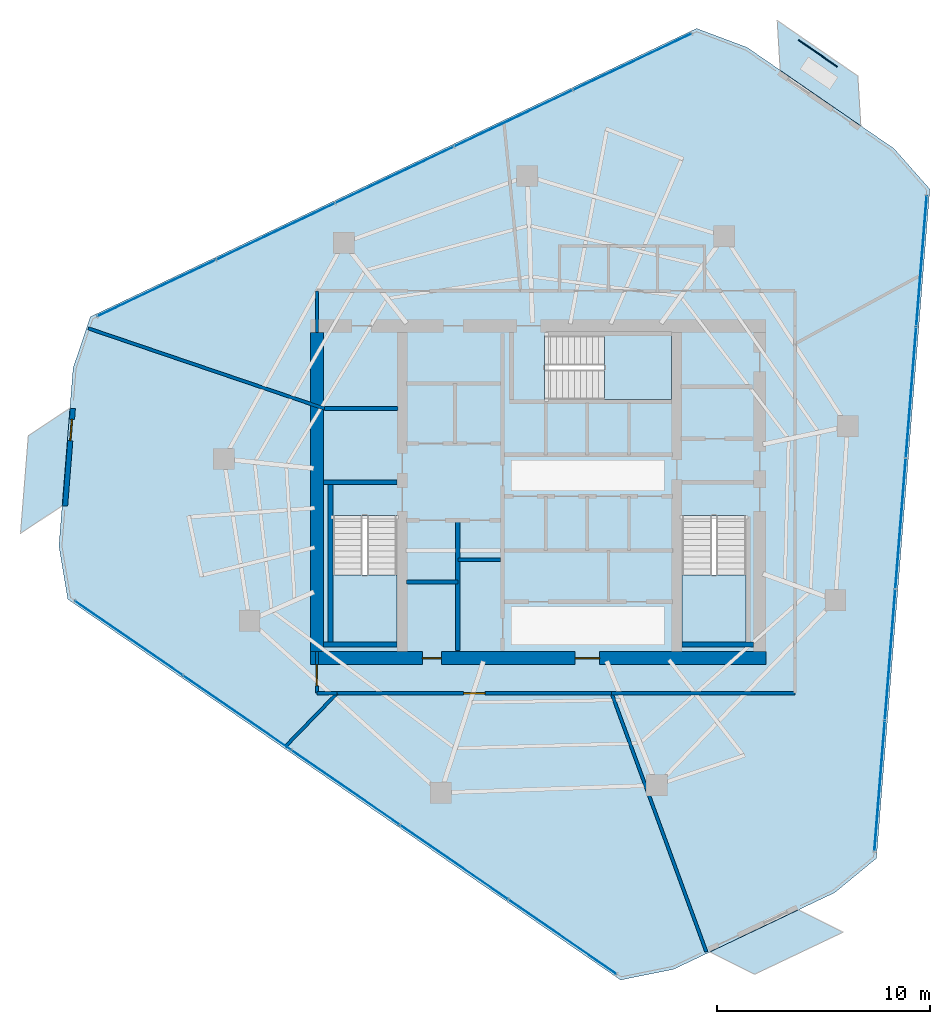
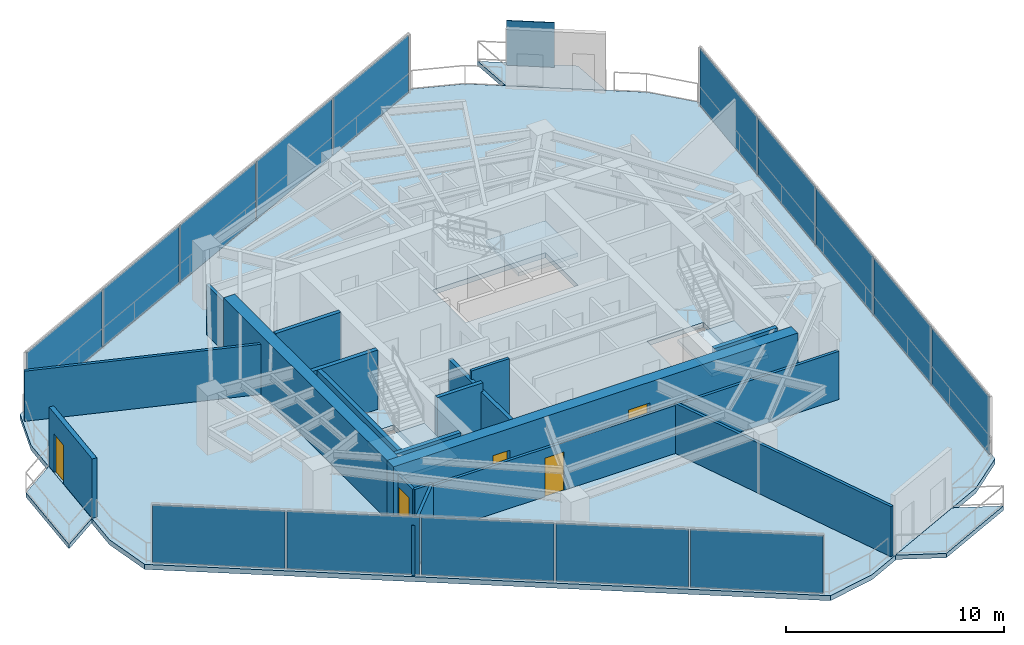
# One storey, part 16 of 21: 19 walls, 16 plates, 7 slabs, 5 doors, 5 openings, 6 elements without a shape of their own.
"""IFC4 building model written with IfcOpenShell, lengths in metres."""

from ifc_helpers import new_model, si_unit, direction, frame, frame_2d, origin, origin_2d, place, context, subcontext, project, spatial, polyline, rectangle, outline, extrude, material, layer, layer_set, type_object, element, fill, aggregate, save


model = new_model("IFC4")

# Units and contexts
model_context = context("Model", 3, precision=1e-05, world=origin(), true_north=direction((0.0, 1.0)))
body_context = subcontext(model_context, "Body", "Model", "MODEL_VIEW")
ifc_project = project(units=[si_unit("LENGTHUNIT", "METRE"), si_unit("AREAUNIT", "SQUARE_METRE"), si_unit("VOLUMEUNIT", "CUBIC_METRE"), si_unit("PLANEANGLEUNIT", "RADIAN"), si_unit("MASSUNIT", "GRAM", prefix="KILO")], contexts=[model_context])

# Site, building, storey
site_placement = place(None, origin())
site = spatial("IfcSite", under=ifc_project, at=site_placement, CompositionType="ELEMENT")
building_placement = place(site_placement, origin())
building = spatial("IfcBuilding", under=site, at=building_placement, Name="Qarnah Convention Tower", CompositionType="ELEMENT")
storey_placement = place(building_placement, frame((0.0, 0.0, 161.699951171875)))
storey = spatial("IfcBuildingStorey", under=building, at=storey_placement, Name="L43", CompositionType="ELEMENT", Elevation=161.699951171875)

# Curtain wall, plates
ifc_material_1 = material(Name="Tempered Low-E dark glass", Category="glass")
ifc_layer_1 = layer(ifc_material_1, 0.172119140625)
ifc_layer_set_1 = layer_set([ifc_layer_1], Name="Tempered Low-E dark glass")
curtain_wall_type = type_object("IfcCurtainWallType", Name="CWS-03", PredefinedType="NOTDEFINED", material=ifc_layer_set_1)
curtain_wall_1_placement = place(storey_placement, origin())
curtain_wall_1 = element("IfcCurtainWall", 1, at=curtain_wall_1_placement, inside=storey, type_object=curtain_wall_type, Name="L43 unitised curtain wall CW-L43-F1", PredefinedType="NOTDEFINED")
ifc_layer_2 = layer(ifc_material_1, 0.031982421875)
ifc_layer_set_2 = layer_set([ifc_layer_2], Name="Tempered Low-E dark glass")
plate_type_1 = type_object("IfcPlateType", Name="PNL-T3", PredefinedType="CURTAIN_PANEL", material=ifc_layer_set_2)
plate_1_placement = place(storey_placement, frame((55.197021484375, 37.251220703125, 0.0400390625), z_axis=(0.0, 0.0, 1.0), x_axis=(-0.079547299857, -0.996831092556, 0.0)))
plate_1 = element("IfcPlate", 2, at=plate_1_placement, type_object=plate_type_1, Name="CW-L43-F1 curtain panel 1.1", PredefinedType="CURTAIN_PANEL", context=body_context, shape_type="SweptSolid", body=[
    extrude(rectangle(XDim=6.10498046875, YDim=0.031982421875, at=origin_2d()), origin(), (0.0, 0.0, 1.0), 3.239990234375),
])
plate_2_placement = place(storey_placement, frame((54.705078125, 31.0859375, 0.0400390625), z_axis=(0.0, 0.0, 1.0), x_axis=(-0.079547299857, -0.996831092556, 0.0)))
plate_2 = element("IfcPlate", 3, at=plate_2_placement, type_object=plate_type_1, Name="CW-L43-F1 curtain panel 2.1", PredefinedType="CURTAIN_PANEL", context=body_context, shape_type="SweptSolid", body=[
    extrude(rectangle(XDim=6.10498046875, YDim=0.031982421875, at=origin_2d()), origin(), (0.0, 0.0, 1.0), 3.239990234375),
])
plate_3_placement = place(storey_placement, frame((54.212890625, 24.92041015625, 0.0400390625), z_axis=(0.0, 0.0, 1.0), x_axis=(-0.079547299857, -0.996831092556, 0.0)))
plate_3 = element("IfcPlate", 4, at=plate_3_placement, type_object=plate_type_1, Name="CW-L43-F1 curtain panel 3.1", PredefinedType="CURTAIN_PANEL", context=body_context, shape_type="SweptSolid", body=[
    extrude(rectangle(XDim=6.10498046875, YDim=0.031982421875, at=origin_2d()), origin(), (0.0, 0.0, 1.0), 3.239990234375),
])
plate_4_placement = place(storey_placement, frame((53.720947265625, 18.755126953125, 0.0400390625), z_axis=(0.0, 0.0, 1.0), x_axis=(-0.079547299857, -0.996831092556, 0.0)))
plate_4 = element("IfcPlate", 5, at=plate_4_placement, type_object=plate_type_1, Name="CW-L43-F1 curtain panel 4.1", PredefinedType="CURTAIN_PANEL", context=body_context, shape_type="SweptSolid", body=[
    extrude(rectangle(XDim=6.10498046875, YDim=0.031982421875, at=origin_2d()), origin(), (0.0, 0.0, 1.0), 3.239990234375),
])
plate_5_placement = place(storey_placement, frame((53.22900390625, 12.589599609375, 0.0400390625), z_axis=(0.0, 0.0, 1.0), x_axis=(-0.079547299857, -0.996831092556, 0.0)))
plate_5 = element("IfcPlate", 6, at=plate_5_placement, type_object=plate_type_1, Name="CW-L43-F1 curtain panel 5.1", PredefinedType="CURTAIN_PANEL", context=body_context, shape_type="SweptSolid", body=[
    extrude(rectangle(XDim=6.10498046875, YDim=0.031982421875, at=origin_2d()), origin(), (0.0, 0.0, 1.0), 3.239990234375),
])
aggregate(curtain_wall_1, [plate_1, plate_2, plate_3, plate_4, plate_5])

curtain_wall_2_placement = place(storey_placement, origin())
curtain_wall_2 = element("IfcCurtainWall", 7, at=curtain_wall_2_placement, inside=storey, type_object=curtain_wall_type, Name="L43 unitised curtain wall CW-L43-F2", PredefinedType="NOTDEFINED")
plate_6_placement = place(storey_placement, frame((19.272705078125, 35.9794921875, 0.0400390625), z_axis=(0.0, 0.0, 1.0), x_axis=(0.903049301715, 0.429536911885, 0.0)))
plate_6 = element("IfcPlate", 8, at=plate_6_placement, type_object=plate_type_1, Name="CW-L43-F2 curtain panel 1.1", PredefinedType="CURTAIN_PANEL", context=body_context, shape_type="SweptSolid", body=[
    extrude(rectangle(XDim=6.105224609375, YDim=0.031982421875, at=origin_2d()), origin(), (0.0, 0.0, 1.0), 3.239990234375),
])
plate_7_placement = place(storey_placement, frame((24.8583984375, 38.63623046875, 0.0400390625), z_axis=(0.0, 0.0, 1.0), x_axis=(0.903049301715, 0.429536911885, 0.0)))
plate_7 = element("IfcPlate", 9, at=plate_7_placement, type_object=plate_type_1, Name="CW-L43-F2 curtain panel 2.1", PredefinedType="CURTAIN_PANEL", context=body_context, shape_type="SweptSolid", body=[
    extrude(rectangle(XDim=6.105224609375, YDim=0.031982421875, at=origin_2d()), origin(), (0.0, 0.0, 1.0), 3.239990234375),
])
plate_8_placement = place(storey_placement, frame((30.444091796875, 41.29296875, 0.0400390625), z_axis=(0.0, 0.0, 1.0), x_axis=(0.903049301715, 0.429536911885, 0.0)))
plate_8 = element("IfcPlate", 10, at=plate_8_placement, type_object=plate_type_1, Name="CW-L43-F2 curtain panel 3.1", PredefinedType="CURTAIN_PANEL", context=body_context, shape_type="SweptSolid", body=[
    extrude(rectangle(XDim=6.105224609375, YDim=0.031982421875, at=origin_2d()), origin(), (0.0, 0.0, 1.0), 3.239990234375),
])
plate_9_placement = place(storey_placement, frame((36.029541015625, 43.94970703125, 0.0400390625), z_axis=(0.0, 0.0, 1.0), x_axis=(0.903049301715, 0.429536911885, 0.0)))
plate_9 = element("IfcPlate", 11, at=plate_9_placement, type_object=plate_type_1, Name="CW-L43-F2 curtain panel 4.1", PredefinedType="CURTAIN_PANEL", context=body_context, shape_type="SweptSolid", body=[
    extrude(rectangle(XDim=6.105224609375, YDim=0.031982421875, at=origin_2d()), origin(), (0.0, 0.0, 1.0), 3.239990234375),
])
plate_10_placement = place(storey_placement, frame((41.615234375, 46.606689453125, 0.0400390625), z_axis=(0.0, 0.0, 1.0), x_axis=(0.903049301715, 0.429536911885, 0.0)))
plate_10 = element("IfcPlate", 12, at=plate_10_placement, type_object=plate_type_1, Name="CW-L43-F2 curtain panel 5.1", PredefinedType="CURTAIN_PANEL", context=body_context, shape_type="SweptSolid", body=[
    extrude(rectangle(XDim=6.105224609375, YDim=0.031982421875, at=origin_2d()), origin(), (0.0, 0.0, 1.0), 3.239990234375),
])
aggregate(curtain_wall_2, [plate_6, plate_7, plate_8, plate_9, plate_10])

curtain_wall_3_placement = place(storey_placement, origin())
curtain_wall_3 = element("IfcCurtainWall", 13, at=curtain_wall_3_placement, inside=storey, type_object=curtain_wall_type, Name="L43 unitised curtain wall CW-L43-F3", PredefinedType="NOTDEFINED")
plate_11_placement = place(storey_placement, frame((38.336181640625, 5.50537109375, 0.0400390625), z_axis=(0.0, 0.0, 1.0), x_axis=(-0.823532102593, 0.567269667794, 0.0)))
plate_11 = element("IfcPlate", 14, at=plate_11_placement, type_object=plate_type_1, Name="CW-L43-F3 curtain panel 1.1", PredefinedType="CURTAIN_PANEL", context=body_context, shape_type="SweptSolid", body=[
    extrude(rectangle(XDim=6.10498046875, YDim=0.031982421875, at=origin_2d()), origin(), (0.0, 0.0, 1.0), 3.239990234375),
])
plate_12_placement = place(storey_placement, frame((33.24267578125, 9.013916015625, 0.0400390625), z_axis=(0.0, 0.0, 1.0), x_axis=(-0.823532102593, 0.567269667794, 0.0)))
plate_12 = element("IfcPlate", 15, at=plate_12_placement, type_object=plate_type_1, Name="CW-L43-F3 curtain panel 2.1", PredefinedType="CURTAIN_PANEL", context=body_context, shape_type="SweptSolid", body=[
    extrude(rectangle(XDim=6.10498046875, YDim=0.031982421875, at=origin_2d()), origin(), (0.0, 0.0, 1.0), 3.239990234375),
])
plate_13_placement = place(storey_placement, frame((28.14892578125, 12.5224609375, 0.0400390625), z_axis=(0.0, 0.0, 1.0), x_axis=(-0.823532102593, 0.567269667794, 0.0)))
plate_13 = element("IfcPlate", 16, at=plate_13_placement, type_object=plate_type_1, Name="CW-L43-F3 curtain panel 3.1", PredefinedType="CURTAIN_PANEL", context=body_context, shape_type="SweptSolid", body=[
    extrude(rectangle(XDim=6.10498046875, YDim=0.031982421875, at=origin_2d()), origin(), (0.0, 0.0, 1.0), 3.239990234375),
])
plate_14_placement = place(storey_placement, frame((23.055419921875, 16.031005859375, 0.0400390625), z_axis=(0.0, 0.0, 1.0), x_axis=(-0.823532102593, 0.567269667794, 0.0)))
plate_14 = element("IfcPlate", 17, at=plate_14_placement, type_object=plate_type_1, Name="CW-L43-F3 curtain panel 4.1", PredefinedType="CURTAIN_PANEL", context=body_context, shape_type="SweptSolid", body=[
    extrude(rectangle(XDim=6.10498046875, YDim=0.031982421875, at=origin_2d()), origin(), (0.0, 0.0, 1.0), 3.239990234375),
])
plate_15_placement = place(storey_placement, frame((17.9619140625, 19.539794921875, 0.0400390625), z_axis=(0.0, 0.0, 1.0), x_axis=(-0.823532102593, 0.567269667794, 0.0)))
plate_15 = element("IfcPlate", 18, at=plate_15_placement, type_object=plate_type_1, Name="CW-L43-F3 curtain panel 5.1", PredefinedType="CURTAIN_PANEL", context=body_context, shape_type="SweptSolid", body=[
    extrude(rectangle(XDim=6.10498046875, YDim=0.031982421875, at=origin_2d()), origin(), (0.0, 0.0, 1.0), 3.239990234375),
])
aggregate(curtain_wall_3, [plate_11, plate_12, plate_13, plate_14, plate_15])

# Plate
ifc_material_2 = material(Name="Black anodised aluminium", Category="aluminium")
ifc_layer_3 = layer(ifc_material_2, 0.044921875)
ifc_layer_set_3 = layer_set([ifc_layer_3], Name="Black anodised aluminium")
plate_type_2 = type_object("IfcPlateType", Name="SCR-BAL-18", PredefinedType="USERDEFINED", material=ifc_layer_set_3)
plate_16_placement = place(storey_placement, frame((50.324951171875, 47.00390625, 0.0), z_axis=(0.0, 0.0, 1.0), x_axis=(0.823559328633, -0.567230140438, 0.0)))
element("IfcPlate", 19, at=plate_16_placement, inside=storey, type_object=plate_type_2, Name="L43 perforated desert solar screen BAL-L43-C1", ObjectType="SCREEN", PredefinedType="USERDEFINED", context=body_context, shape_type="SweptSolid", body=[
    extrude(rectangle(XDim=2.199951171875, YDim=0.044921875, at=origin_2d()), origin(), (0.0, 0.0, 1.0), 2.5),
])

# Slabs
ifc_material_3 = material(Name="Concrete C45/55", Category="concrete")
ifc_layer_4 = layer(ifc_material_3, 0.239990234375)
ifc_layer_set_4 = layer_set([ifc_layer_4], Name="Concrete C45/55")
slab_type_1 = type_object("IfcSlabType", Name="SLB-BAL-240", PredefinedType="USERDEFINED", material=ifc_layer_set_4)
slab_1_placement = place(storey_placement, frame((0.0, 0.0, -0.239990234375)))
element("IfcSlab", 20, at=slab_1_placement, inside=storey, type_object=slab_type_1, Name="L43 cantilevered balcony slab BAL-L43-C1", ObjectType="BALCONY", PredefinedType="USERDEFINED", context=body_context, shape_type="SweptSolid", body=[
    extrude(outline(polyline([(48.4169921875, 48.548095703125), (52.205078125, 45.93896484375), (52.345947265625, 43.596923828125), (48.55810546875, 46.2060546875), (48.4169921875, 48.548095703125)])), origin(), (0.0, 0.0, 1.0), 0.239990234375),
])
slab_2_placement = place(storey_placement, frame((0.0, 0.0, -0.239990234375)))
element("IfcSlab", 21, at=slab_2_placement, inside=storey, type_object=slab_type_1, Name="L43 cantilevered balcony slab BAL-L43-C2", ObjectType="BALCONY", PredefinedType="USERDEFINED", context=body_context, shape_type="SweptSolid", body=[
    extrude(outline(polyline([(12.87890625, 24.4599609375), (13.2451171875, 29.044921875), (15.202880859375, 30.337890625), (14.8369140625, 25.751953125), (12.87890625, 24.4599609375)])), origin(), (0.0, 0.0, 1.0), 0.239990234375),
])
slab_3_placement = place(storey_placement, frame((0.0, 0.0, -0.239990234375)))
element("IfcSlab", 22, at=slab_3_placement, inside=storey, type_object=slab_type_1, Name="L43 cantilevered balcony slab BAL-L43-C3", ObjectType="BALCONY", PredefinedType="USERDEFINED", context=body_context, shape_type="SweptSolid", body=[
    extrude(outline(polyline([(51.510009765625, 5.72705078125), (47.35595703125, 3.7509765625), (45.257080078125, 4.800048828125), (49.410888671875, 6.77587890625), (51.510009765625, 5.72705078125)])), origin(), (0.0, 0.0, 1.0), 0.239990234375),
])

# Stair, slab
ifc_material_4 = material(Name="Concrete C50/60", Category="concrete")
stair_type = type_object("IfcStairType", Name="STR-OFF", PredefinedType="HALF_TURN_STAIR", material=ifc_material_4)
stair_1_placement = place(storey_placement, origin())
stair_1 = element("IfcStair", 23, at=stair_1_placement, inside=storey, type_object=stair_type, Name="L43 Core exit stair ST-1", PredefinedType="HALF_TURN_STAIR")
ifc_layer_5 = layer(ifc_material_4, 0.199951171875)
ifc_layer_set_5 = layer_set([ifc_layer_5], Name="Concrete C50/60")
slab_type_2 = type_object("IfcSlabType", Name="SLB-LANDING-200", PredefinedType="LANDING", material=ifc_layer_set_5)
slab_4_placement = place(storey_placement, frame((0.0, 0.0, 1.60009765625)))
slab_4 = element("IfcSlab", 24, at=slab_4_placement, type_object=slab_type_2, Name="ST-1 landing 1", PredefinedType="LANDING", context=body_context, shape_type="SweptSolid", body=[
    extrude(outline(polyline([(27.550048828125, 22.5), (27.550048828125, 19.35009765625), (30.550048828125, 19.35009765625), (30.550048828125, 22.5), (27.550048828125, 22.5)])), origin(), (0.0, 0.0, 1.0), 0.199951171875),
])
aggregate(stair_1, [slab_4])

stair_2_placement = place(storey_placement, origin())
stair_2 = element("IfcStair", 25, at=stair_2_placement, inside=storey, type_object=stair_type, Name="L43 Core exit stair ST-2", PredefinedType="HALF_TURN_STAIR")
slab_5_placement = place(storey_placement, frame((0.0, 0.0, 1.60009765625)))
slab_5 = element("IfcSlab", 26, at=slab_5_placement, type_object=slab_type_2, Name="ST-2 landing 1", PredefinedType="LANDING", context=body_context, shape_type="SweptSolid", body=[
    extrude(outline(polyline([(43.949951171875, 22.5), (43.949951171875, 19.35009765625), (46.949951171875, 19.35009765625), (46.949951171875, 22.5), (43.949951171875, 22.5)])), origin(), (0.0, 0.0, 1.0), 0.199951171875),
])
aggregate(stair_2, [slab_5])

stair_3_placement = place(storey_placement, origin())
stair_3 = element("IfcStair", 27, at=stair_3_placement, inside=storey, type_object=stair_type, Name="L43 Core exit stair ST-3", PredefinedType="HALF_TURN_STAIR")
slab_6_placement = place(storey_placement, frame((0.0, 0.0, 1.60009765625)))
slab_6 = element("IfcSlab", 28, at=slab_6_placement, type_object=slab_type_2, Name="ST-3 landing 1", PredefinedType="LANDING", context=body_context, shape_type="SweptSolid", body=[
    extrude(outline(polyline([(40.300048828125, 30.75), (43.449951171875, 30.75), (43.449951171875, 33.75), (40.300048828125, 33.75), (40.300048828125, 30.75)])), origin(), (0.0, 0.0, 1.0), 0.199951171875),
])
aggregate(stair_3, [slab_6])

# Slab
ifc_layer_6 = layer(ifc_material_3, 0.280029296875)
ifc_layer_set_6 = layer_set([ifc_layer_6], Name="Concrete C45/55")
slab_type_3 = type_object("IfcSlabType", Name="SLB-TWR-280", PredefinedType="FLOOR", material=ifc_layer_set_6)
slab_7_placement = place(storey_placement, frame((0.0, 0.0, -0.280029296875)))
element("IfcSlab", 29, at=slab_7_placement, inside=storey, type_object=slab_type_3, Name="L43 structural floor slab", PredefinedType="FLOOR", context=body_context, shape_type="SweptSolid", body=[
    extrude(outline(polyline([(44.626953125, 48.172119140625), (16.157958984375, 34.6298828125), (15.34912109375, 32.219970703125), (14.68310546875, 23.873046875), (15.10009765625, 21.364990234375), (41.06201171875, 3.48193359375), (43.553955078125, 3.986083984375), (51.115966796875, 7.5830078125), (53.0791015625, 9.197998046875), (55.5859375, 40.6240234375), (53.903076171875, 42.529052734375), (47.007080078125, 47.279052734375), (44.626953125, 48.172119140625)]), holes=[polyline([(27.550048828125, 25.300048828125), (27.550048828125, 19.35009765625), (30.550048828125, 19.35009765625), (30.550048828125, 25.300048828125), (27.550048828125, 25.300048828125)]), polyline([(43.949951171875, 25.300048828125), (43.949951171875, 19.35009765625), (46.949951171875, 19.35009765625), (46.949951171875, 25.300048828125), (43.949951171875, 25.300048828125)]), polyline([(37.5, 30.75), (43.449951171875, 30.75), (43.449951171875, 33.75), (37.5, 33.75), (37.5, 30.75)])]), origin(), (0.0, 0.0, 1.0), 0.280029296875),
])

# Wall, openings, doors
ifc_material_5 = material(Name="Concrete C60/75", Category="concrete")
ifc_layer_7 = layer(ifc_material_5, 0.60009765625)
ifc_layer_set_7 = layer_set([ifc_layer_7], Name="Concrete C60/75")
wall_type_1 = type_object("IfcWallType", Name="WL-CORE-600", PredefinedType="SHEAR", material=ifc_layer_set_7)
wall_1_placement = place(storey_placement, frame((26.5, 18.60009765625, 0.0), z_axis=(0.0, 0.0, 1.0), x_axis=(1.0, 0.0, 0.0)))
wall_1 = element("IfcWall", 30, at=wall_1_placement, inside=storey, type_object=wall_type_1, Name="L43 core south shear wall", PredefinedType="SHEAR", context=body_context, shape_type="SweptSolid", body=[
    extrude(rectangle(XDim=21.39990234375, YDim=0.60009765625, at=frame_2d((10.699951171875, 0.0))), origin(), (0.0, 0.0, 1.0), 3.320068359375),
])
opening_1_placement = place(wall_1_placement, frame((12.425048828125, 0.0, 0.0)))
opening_1 = element("IfcOpeningElement", 31, at=opening_1_placement, cuts=wall_1, Name="Opening D-4307", PredefinedType="OPENING", context=body_context, shape_type="SweptSolid", body=[
    extrude(rectangle(XDim=1.14990234375, YDim=2.14990234375, at=frame_2d((0.574951171875, 1.074951171875))), frame((0.0, 0.31005859375, 0.0), z_axis=(0.0, -1.0, 0.0), x_axis=(1.0, 0.0, 0.0)), (0.0, 0.0, 1.0), 0.6201171875),
])
opening_2_placement = place(wall_1_placement, frame((5.25, 0.0, 0.0)))
opening_2 = element("IfcOpeningElement", 32, at=opening_2_placement, cuts=wall_1, Name="Opening D-4313", PredefinedType="OPENING", context=body_context, shape_type="SweptSolid", body=[
    extrude(rectangle(XDim=0.89990234375, YDim=2.10009765625, at=frame_2d((0.449951171875, 1.050048828125))), frame((0.0, 0.31005859375, 0.0), z_axis=(0.0, -1.0, 0.0), x_axis=(1.0, 0.0, 0.0)), (0.0, 0.0, 1.0), 0.6201171875),
])
ifc_material_6 = material(Name="Structural steel S355JR", Category="steel")
door_type_1 = type_object("IfcDoorType", Name="DT-LOBBY-1150", OperationType="NOTDEFINED", PredefinedType="DOOR", material=ifc_material_6)
door_1_placement = place(opening_1_placement, origin())
door_1 = element("IfcDoor", 33, at=door_1_placement, inside=storey, type_object=door_type_1, Name="Door D-4307", OperationType="SINGLE_SWING_RIGHT", OverallHeight=2.14990234375, OverallWidth=1.14990234375, PredefinedType="DOOR", context=body_context, shape_type="SweptSolid", body=[
    extrude(rectangle(XDim=1.14990234375, YDim=2.14990234375, at=frame_2d((0.574951171875, 1.074951171875))), frame((0.0, 0.02490234375, 0.0), z_axis=(0.0, -1.0, 0.0), x_axis=(1.0, 0.0, 0.0)), (0.0, 0.0, 1.0), 0.050048828125),
])
fill(opening_1, door_1)
door_type_2 = type_object("IfcDoorType", Name="DT-RISER-900", OperationType="NOTDEFINED", PredefinedType="DOOR", material=ifc_material_6)
door_2_placement = place(opening_2_placement, origin())
door_2 = element("IfcDoor", 34, at=door_2_placement, inside=storey, type_object=door_type_2, Name="Door D-4313", OperationType="SINGLE_SWING_RIGHT", OverallHeight=2.10009765625, OverallWidth=0.89990234375, PredefinedType="DOOR", context=body_context, shape_type="SweptSolid", body=[
    extrude(rectangle(XDim=0.89990234375, YDim=2.10009765625, at=frame_2d((0.449951171875, 1.050048828125))), frame((0.0, 0.02490234375, 0.0), z_axis=(0.0, -1.0, 0.0), x_axis=(1.0, 0.0, 0.0)), (0.0, 0.0, 1.0), 0.050048828125),
])
fill(opening_2, door_2)

# Walls
wall_2_placement = place(storey_placement, frame((26.800048828125, 18.89990234375, 0.0), z_axis=(0.0, 0.0, 1.0), x_axis=(0.0, 1.0, 0.0)))
element("IfcWall", 35, at=wall_2_placement, inside=storey, type_object=wall_type_1, Name="L43 core west shear wall", PredefinedType="SHEAR", context=body_context, shape_type="SweptSolid", body=[
    extrude(rectangle(XDim=15.0, YDim=0.60009765625, at=frame_2d((7.5, 0.0))), origin(), (0.0, 0.0, 1.0), 3.320068359375),
])
ifc_layer_8 = layer(ifc_material_3, 0.199951171875)
ifc_layer_set_8 = layer_set([ifc_layer_8], Name="Concrete C45/55")
wall_type_2 = type_object("IfcWallType", Name="WL-CORE-PART-200", PredefinedType="SOLIDWALL", material=ifc_layer_set_8)
wall_3_placement = place(storey_placement, frame((27.14990234375, 30.320068359375, 0.0), z_axis=(0.0, 0.0, 1.0), x_axis=(1.0, 0.0, 0.0)))
element("IfcWall", 36, at=wall_3_placement, inside=storey, type_object=wall_type_2, Name="L43 interior wall IW-L43-ELRN", PredefinedType="SOLIDWALL", context=body_context, shape_type="SweptSolid", body=[
    extrude(rectangle(XDim=3.4501953125, YDim=0.199951171875, at=frame_2d((1.72509765625, 0.0))), origin(), (0.0, 0.0, 1.0), 3.320068359375),
])
wall_4_placement = place(storey_placement, frame((33.419921875, 18.949951171875, 0.0), z_axis=(0.0, 0.0, 1.0), x_axis=(0.0, 1.0, 0.0)))
element("IfcWall", 37, at=wall_4_placement, inside=storey, type_object=wall_type_2, Name="L43 interior wall IW-L43-SVLE", PredefinedType="SOLIDWALL", context=body_context, shape_type="SweptSolid", body=[
    extrude(rectangle(XDim=6.130126953125, YDim=0.199951171875, at=frame_2d((3.06494140625, 0.0))), origin(), (0.0, 0.0, 1.0), 2.841064453125),
])
wall_5_placement = place(storey_placement, frame((31.0, 22.179931640625, 0.0), z_axis=(0.0, 0.0, 1.0), x_axis=(1.0, 0.0, 0.0)))
element("IfcWall", 38, at=wall_5_placement, inside=storey, type_object=wall_type_2, Name="L43 interior wall IW-L43-SVLS", PredefinedType="SOLIDWALL", context=body_context, shape_type="SweptSolid", body=[
    extrude(rectangle(XDim=2.419921875, YDim=0.199951171875, at=frame_2d((1.2099609375, 0.0))), origin(), (0.0, 0.0, 1.0), 3.320068359375),
])
ifc_layer_9 = layer(ifc_material_5, 0.219970703125)
ifc_layer_set_9 = layer_set([ifc_layer_9], Name="Concrete C60/75")
wall_type_3 = type_object("IfcWallType", Name="WL-CORE-STAIR-220", PredefinedType="SHEAR", material=ifc_layer_set_9)
wall_6_placement = place(storey_placement, frame((27.10009765625, 26.860107421875, 0.0), z_axis=(0.0, 0.0, 1.0), x_axis=(1.0, 0.0, 0.0)))
element("IfcWall", 39, at=wall_6_placement, inside=storey, type_object=wall_type_3, Name="L43 stair shaft shear wall SW-L43-ST1N", PredefinedType="SHEAR", context=body_context, shape_type="SweptSolid", body=[
    extrude(rectangle(XDim=3.449951171875, YDim=0.219970703125, at=frame_2d((1.72509765625, 0.0))), origin(), (0.0, 0.0, 1.0), 3.320068359375),
])
wall_7_placement = place(storey_placement, frame((27.43994140625, 19.35009765625, 0.0), z_axis=(0.0, 0.0, 1.0), x_axis=(0.0, 1.0, 0.0)))
element("IfcWall", 40, at=wall_7_placement, inside=storey, type_object=wall_type_3, Name="L43 stair shaft shear wall SW-L43-ST1W", PredefinedType="SHEAR", context=body_context, shape_type="SweptSolid", body=[
    extrude(rectangle(XDim=7.39990234375, YDim=0.219970703125, at=frame_2d((3.699951171875, 0.0))), origin(), (0.0, 0.0, 1.0), 3.320068359375),
])
wall_8_placement = place(storey_placement, frame((27.10009765625, 19.239990234375, 0.0), z_axis=(0.0, 0.0, 1.0), x_axis=(1.0, 0.0, 0.0)))
element("IfcWall", 41, at=wall_8_placement, inside=storey, type_object=wall_type_3, Name="L43 stair shaft shear wall SW-L43-ST1S", PredefinedType="SHEAR", context=body_context, shape_type="SweptSolid", body=[
    extrude(rectangle(XDim=3.449951171875, YDim=0.219970703125, at=frame_2d((1.72509765625, 0.0))), origin(), (0.0, 0.0, 1.0), 3.320068359375),
])
wall_9_placement = place(storey_placement, frame((43.949951171875, 19.239990234375, 0.0), z_axis=(0.0, 0.0, 1.0), x_axis=(1.0, 0.0, 0.0)))
element("IfcWall", 42, at=wall_9_placement, inside=storey, type_object=wall_type_3, Name="L43 stair shaft shear wall SW-L43-ST2S", PredefinedType="SHEAR", context=body_context, shape_type="SweptSolid", body=[
    extrude(rectangle(XDim=3.35009765625, YDim=0.219970703125, at=frame_2d((1.675048828125, 0.0))), origin(), (0.0, 0.0, 1.0), 3.320068359375),
])

# Wall, opening, door
ifc_material_7 = material(Name="Precast concrete C45/55", Category="concrete")
ifc_layer_10 = layer(ifc_material_7, 0.239990234375)
ifc_layer_set_10 = layer_set([ifc_layer_10], Name="Precast concrete C45/55")
wall_type_4 = type_object("IfcWallType", Name="WL-EXT-BAL-240", PredefinedType="SOLIDWALL", material=ifc_layer_set_10)
wall_10_placement = place(storey_placement, frame((14.972900390625, 25.742919921875, 0.0), z_axis=(0.0, 0.0, 1.0), x_axis=(0.079354920476, 0.996846425783, 0.0)))
wall_10 = element("IfcWall", 43, at=wall_10_placement, inside=storey, type_object=wall_type_4, Name="L43 loggia threshold wall BAL-L43-C2", PredefinedType="SOLIDWALL", context=body_context, shape_type="SweptSolid", body=[
    extrude(rectangle(XDim=4.599365234375, YDim=0.239990234375, at=frame_2d((2.2998046875, 0.0))), origin(), (0.0, 0.0, 1.0), 3.320068359375),
])
opening_3_placement = place(wall_10_placement, frame((3.080078125, 0.0, 0.0)))
opening_3 = element("IfcOpeningElement", 44, at=opening_3_placement, cuts=wall_10, Name="Opening BD-4302", PredefinedType="OPENING", context=body_context, shape_type="SweptSolid", body=[
    extrude(rectangle(XDim=1.0, YDim=2.14990234375, at=frame_2d((0.5, 1.074951171875))), frame((0.0, 0.1298828125, 0.0), z_axis=(0.0, -1.0, 0.0), x_axis=(1.0, 0.0, 0.0)), (0.0, 0.0, 1.0), 0.260009765625),
])
door_type_3 = type_object("IfcDoorType", Name="DT-BAL-1000", OperationType="NOTDEFINED", PredefinedType="DOOR", material=ifc_material_2)
door_3_placement = place(opening_3_placement, origin())
door_3 = element("IfcDoor", 45, at=door_3_placement, inside=storey, type_object=door_type_3, Name="L43 balcony terrace door BAL-L43-C2", OperationType="SINGLE_SWING_LEFT", OverallHeight=2.14990234375, OverallWidth=1.0, PredefinedType="DOOR", context=body_context, shape_type="SweptSolid", body=[
    extrude(rectangle(XDim=1.0, YDim=2.14990234375, at=frame_2d((0.5, 1.074951171875))), frame((0.0, 0.02490234375, 0.0), z_axis=(0.0, -1.0, 0.0), x_axis=(1.0, 0.0, 0.0)), (0.0, 0.0, 1.0), 0.050048828125),
])
fill(opening_3, door_3)

# Walls
ifc_material_8 = material(Name="Gypsum partition board")
ifc_layer_11 = layer(ifc_material_8, 0.14990234375)
ifc_layer_set_11 = layer_set([ifc_layer_11], Name="Gypsum partition board")
wall_type_5 = type_object("IfcWallType", Name="WL-SUITE-150", PredefinedType="PARTITIONING", material=ifc_layer_set_11)
wall_11_placement = place(storey_placement, frame((33.419921875, 23.219970703125, 0.0), z_axis=(0.0, 0.0, 1.0), x_axis=(1.0, 0.0, 0.0)))
element("IfcWall", 46, at=wall_11_placement, inside=storey, type_object=wall_type_5, Name="L43 interior wall IW-L43-CSV1", PredefinedType="PARTITIONING", context=body_context, shape_type="SweptSolid", body=[
    extrude(rectangle(XDim=2.0, YDim=0.14990234375, at=frame_2d((1.0, 0.0))), origin(), (0.0, 0.0, 1.0), 3.320068359375),
])
wall_12_placement = place(storey_placement, frame((16.06005859375, 34.0869140625, 0.0), z_axis=(0.0, 0.0, 1.0), x_axis=(0.946869013056, -0.321619452326, 0.0)))
element("IfcWall", 47, at=wall_12_placement, inside=storey, type_object=wall_type_5, Name="L43 interior wall IW-L43-R-18", PredefinedType="PARTITIONING", context=body_context, shape_type="SweptSolid", body=[
    extrude(rectangle(XDim=11.712158203125, YDim=0.14990234375, at=frame_2d((5.85595703125, 0.0))), origin(), (0.0, 0.0, 1.0), 2.804931640625),
])
wall_13_placement = place(storey_placement, frame((26.800048828125, 33.89990234375, 0.0), z_axis=(0.0, 0.0, 1.0), x_axis=(0.0, 1.0, 0.0)))
element("IfcWall", 48, at=wall_13_placement, inside=storey, type_object=wall_type_5, Name="L43 interior wall IW-L43-R-19", PredefinedType="PARTITIONING", context=body_context, shape_type="SweptSolid", body=[
    extrude(rectangle(XDim=1.9501953125, YDim=0.14990234375, at=frame_2d((0.97509765625, 0.0))), origin(), (0.0, 0.0, 1.0), 2.804931640625),
])
wall_14_placement = place(storey_placement, frame((25.303955078125, 14.431884765625, 0.0), z_axis=(0.0, 0.0, 1.0), x_axis=(0.696774438926, 0.71729030473, 0.0)))
element("IfcWall", 49, at=wall_14_placement, inside=storey, type_object=wall_type_5, Name="L43 interior wall IW-L43-R-21", PredefinedType="PARTITIONING", context=body_context, shape_type="SweptSolid", body=[
    extrude(rectangle(XDim=3.510498046875, YDim=0.14990234375, at=frame_2d((1.75537109375, 0.0))), origin(), (0.0, 0.0, 1.0), 2.804931640625),
])
wall_15_placement = place(storey_placement, frame((27.75, 16.949951171875, 0.0), z_axis=(0.0, 0.0, 1.0), x_axis=(-1.0, 0.0, 0.0)))
element("IfcWall", 50, at=wall_15_placement, inside=storey, type_object=wall_type_5, Name="L43 interior wall IW-L43-R-22", PredefinedType="PARTITIONING", context=body_context, shape_type="SweptSolid", body=[
    extrude(rectangle(XDim=0.949951171875, YDim=0.14990234375, at=frame_2d((0.47509765625, 0.0))), origin(), (0.0, 0.0, 1.0), 2.804931640625),
])

# Wall, opening, door
wall_16_placement = place(storey_placement, frame((26.800048828125, 16.949951171875, 0.0), z_axis=(0.0, 0.0, 1.0), x_axis=(0.0, 1.0, 0.0)))
wall_16 = element("IfcWall", 51, at=wall_16_placement, inside=storey, type_object=wall_type_5, Name="L43 interior wall IW-L43-R-23", PredefinedType="PARTITIONING", context=body_context, shape_type="SweptSolid", body=[
    extrude(rectangle(XDim=1.949951171875, YDim=0.14990234375, at=frame_2d((0.97509765625, 0.0))), origin(), (0.0, 0.0, 1.0), 2.804931640625),
])
opening_4_placement = place(wall_16_placement, frame((0.341064453125, 0.0, 0.0)))
opening_4 = element("IfcOpeningElement", 52, at=opening_4_placement, cuts=wall_16, Name="Opening D-4323", PredefinedType="OPENING", context=body_context, shape_type="SweptSolid", body=[
    extrude(rectangle(XDim=1.0, YDim=2.14990234375, at=frame_2d((0.5, 1.074951171875))), frame((0.0, 0.0849609375, 0.0), z_axis=(0.0, -1.0, 0.0), x_axis=(1.0, 0.0, 0.0)), (0.0, 0.0, 1.0), 0.169921875),
])
ifc_material_9 = material(Name="Oak timber veneer", Category="wood")
door_type_4 = type_object("IfcDoorType", Name="DT-OFFICE-1000", OperationType="NOTDEFINED", PredefinedType="DOOR", material=ifc_material_9)
door_4_placement = place(opening_4_placement, origin())
door_4 = element("IfcDoor", 53, at=door_4_placement, inside=storey, type_object=door_type_4, Name="Door D-4323", OperationType="SINGLE_SWING_RIGHT", OverallHeight=2.14990234375, OverallWidth=1.0, PredefinedType="DOOR", context=body_context, shape_type="SweptSolid", body=[
    extrude(rectangle(XDim=1.0, YDim=2.14990234375, at=frame_2d((0.5, 1.074951171875))), frame((0.0, 0.02490234375, 0.0), z_axis=(0.0, -1.0, 0.0), x_axis=(1.0, 0.0, 0.0)), (0.0, 0.0, 1.0), 0.050048828125),
])
fill(opening_4, door_4)

# Wall
wall_17_placement = place(storey_placement, frame((45.089111328125, 4.803955078125, 0.0), z_axis=(0.0, 0.0, 1.0), x_axis=(-0.343960707301, 0.938984042374, 0.0)))
element("IfcWall", 54, at=wall_17_placement, inside=storey, type_object=wall_type_5, Name="L43 interior wall IW-L43-R-24", PredefinedType="PARTITIONING", context=body_context, shape_type="SweptSolid", body=[
    extrude(rectangle(XDim=12.935302734375, YDim=0.14990234375, at=frame_2d((6.4677734375, 0.0))), origin(), (0.0, 0.0, 1.0), 2.804931640625),
])

# Wall, opening, door
wall_18_placement = place(storey_placement, frame((40.639892578125, 16.949951171875, 0.0), z_axis=(0.0, 0.0, 1.0), x_axis=(-1.0, 0.0, 0.0)))
wall_18 = element("IfcWall", 55, at=wall_18_placement, inside=storey, type_object=wall_type_5, Name="L43 interior wall IW-L43-R-25", PredefinedType="PARTITIONING", context=body_context, shape_type="SweptSolid", body=[
    extrude(rectangle(XDim=12.889892578125, YDim=0.14990234375, at=frame_2d((6.44482421875, 0.0))), origin(), (0.0, 0.0, 1.0), 2.68701171875),
])
opening_5_placement = place(wall_18_placement, frame((5.945068359375, 0.0, 0.0)))
opening_5 = element("IfcOpeningElement", 56, at=opening_5_placement, cuts=wall_18, Name="Opening D-4324", PredefinedType="OPENING", context=body_context, shape_type="SweptSolid", body=[
    extrude(rectangle(XDim=1.0, YDim=2.14990234375, at=frame_2d((0.5, 1.074951171875))), frame((0.0, 0.0849609375, 0.0), z_axis=(0.0, -1.0, 0.0), x_axis=(1.0, 0.0, 0.0)), (0.0, 0.0, 1.0), 0.169921875),
])
door_5_placement = place(opening_5_placement, origin())
door_5 = element("IfcDoor", 57, at=door_5_placement, inside=storey, type_object=door_type_4, Name="Door D-4324", OperationType="SINGLE_SWING_LEFT", OverallHeight=2.14990234375, OverallWidth=1.0, PredefinedType="DOOR", context=body_context, shape_type="SweptSolid", body=[
    extrude(rectangle(XDim=1.0, YDim=2.14990234375, at=frame_2d((0.5, 1.074951171875))), frame((0.0, 0.02490234375, 0.0), z_axis=(0.0, -1.0, 0.0), x_axis=(1.0, 0.0, 0.0)), (0.0, 0.0, 1.0), 0.050048828125),
])
fill(opening_5, door_5)

# Wall
wall_19_placement = place(storey_placement, frame((49.25, 16.949951171875, 0.0), z_axis=(0.0, 0.0, 1.0), x_axis=(-1.0, 0.0, 0.0)))
element("IfcWall", 58, at=wall_19_placement, inside=storey, type_object=wall_type_5, Name="L43 interior wall IW-L43-R-28", PredefinedType="PARTITIONING", context=body_context, shape_type="SweptSolid", body=[
    extrude(rectangle(XDim=8.610107421875, YDim=0.14990234375, at=frame_2d((4.30517578125, 0.0))), origin(), (0.0, 0.0, 1.0), 2.68701171875),
])

save(model, "model.ifc")
